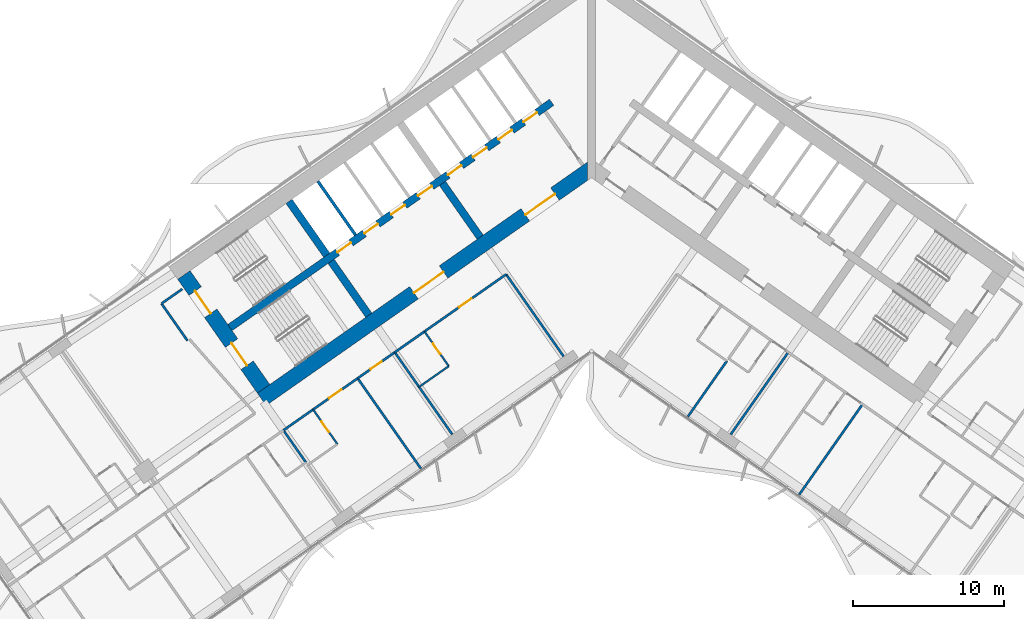
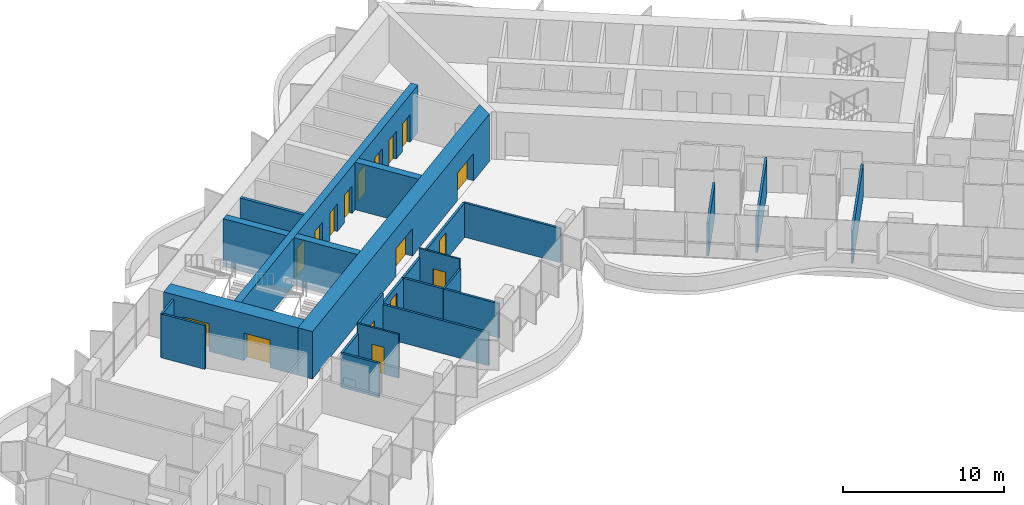
# One storey, part 14 of 24: 25 walls, 17 doors, 17 openings.
"""IFC4 building model written with IfcOpenShell, lengths in metres."""

from ifc_helpers import new_model, si_unit, direction, frame, frame_2d, origin, place, context, subcontext, project, spatial, polyline, rectangle, outline, extrude, material, layer, layer_set, type_object, element, fill, save


model = new_model("IFC4")

# Units and contexts
model_context = context("Model", 3, precision=1e-05, world=origin(), true_north=direction((0.0, 1.0)))
body_context = subcontext(model_context, "Body", "Model", "MODEL_VIEW")
ifc_project = project(units=[si_unit("LENGTHUNIT", "METRE"), si_unit("AREAUNIT", "SQUARE_METRE"), si_unit("VOLUMEUNIT", "CUBIC_METRE"), si_unit("PLANEANGLEUNIT", "RADIAN"), si_unit("MASSUNIT", "GRAM", prefix="KILO")], contexts=[model_context])

# Site, building, storey
site_placement = place(None, origin())
site = spatial("IfcSite", under=ifc_project, at=site_placement, CompositionType="ELEMENT")
building_placement = place(site_placement, origin())
building = spatial("IfcBuilding", under=site, at=building_placement, Name="Tel Ilan Convention Tower", CompositionType="ELEMENT")
storey_placement = place(building_placement, frame((0.0, 0.0, 68.89990234375)))
storey = spatial("IfcBuildingStorey", under=building, at=storey_placement, Name="L12", CompositionType="ELEMENT", Elevation=68.89990234375)

# Wall, openings, doors
ifc_material_1 = material(Name="Concrete C60/75", Category="concrete")
ifc_layer_1 = layer(ifc_material_1, 1.0)
ifc_layer_set_1 = layer_set([ifc_layer_1], Name="Core Shear Wall 1000 mm C60/75")
wall_type_1 = type_object("IfcWallType", Name="Core Shear Wall 1000 mm C60/75", PredefinedType="SHEAR", material=ifc_layer_set_1)
wall_1_placement = place(storey_placement, frame((0.036865234375, -0.584716796875, 0.0), z_axis=(0.0, 0.0, 1.0), x_axis=(-0.819157152511, -0.573569140985, 0.0)))
wall_1 = element("IfcWall", 1, at=wall_1_placement, inside=storey, type_object=wall_type_1, Name="L12 core wall W-front", PredefinedType="SHEAR", context=body_context, shape_type="SweptSolid", body=[
    extrude(outline(polyline([(26.69482421875, 0.500244140625), (0.7001953125, 0.499755859375), (0.0, -0.5), (26.69482421875, -0.499755859375), (26.69482421875, 0.500244140625)])), origin(), (0.0, 0.0, 1.0), 3.60009765625),
])
opening_1_placement = place(wall_1_placement, frame((2.994873046875, 0.0, 0.0)))
opening_1 = element("IfcOpeningElement", 2, at=opening_1_placement, cuts=wall_1, Name="Opening CD1205", PredefinedType="OPENING", context=body_context, shape_type="SweptSolid", body=[
    extrude(rectangle(XDim=2.39990234375, YDim=2.10009765625, at=frame_2d((1.199951171875, 1.050048828125))), frame((0.0, 0.510009765625, 0.0), z_axis=(0.0, -1.0, 0.0), x_axis=(1.0, 0.0, 0.0)), (0.0, 0.0, 1.0), 1.02001953125),
])
opening_2_placement = place(wall_1_placement, frame((11.994873046875, 0.0, 0.0)))
opening_2 = element("IfcOpeningElement", 3, at=opening_2_placement, cuts=wall_1, Name="Opening CD1206", PredefinedType="OPENING", context=body_context, shape_type="SweptSolid", body=[
    extrude(rectangle(XDim=2.39990234375, YDim=2.10009765625, at=frame_2d((1.199951171875, 1.050048828125))), frame((0.0, 0.510009765625, 0.0), z_axis=(0.0, -1.0, 0.0), x_axis=(1.0, 0.0, 0.0)), (0.0, 0.0, 1.0), 1.02001953125),
])
ifc_material_2 = material(Name="Glazed Aluminium Door Leaf", Category="aluminium")
door_type_1 = type_object("IfcDoorType", Name="Lobby Opening Door 2400 x 2100 FD60S", OperationType="NOTDEFINED", PredefinedType="DOOR", material=ifc_material_2)
door_1_placement = place(opening_1_placement, origin())
door_1 = element("IfcDoor", 4, at=door_1_placement, inside=storey, type_object=door_type_1, Name="Lift Lobby LR1-LR4 opening", OperationType="DOUBLE_DOOR_SINGLE_SWING", OverallHeight=2.10009765625, OverallWidth=2.39990234375, PredefinedType="DOOR", context=body_context, shape_type="SweptSolid", body=[
    extrude(rectangle(XDim=2.39990234375, YDim=2.10009765625, at=frame_2d((1.199951171875, 1.050048828125))), frame((0.0, 0.02490234375, 0.0), z_axis=(0.0, -1.0, 0.0), x_axis=(1.0, 0.0, 0.0)), (0.0, 0.0, 1.0), 0.050048828125),
])
fill(opening_1, door_1)
door_2_placement = place(opening_2_placement, origin())
door_2 = element("IfcDoor", 5, at=door_2_placement, inside=storey, type_object=door_type_1, Name="Lift Lobby LR5-LR8 opening", OperationType="DOUBLE_DOOR_SINGLE_SWING", OverallHeight=2.10009765625, OverallWidth=2.39990234375, PredefinedType="DOOR", context=body_context, shape_type="SweptSolid", body=[
    extrude(rectangle(XDim=2.39990234375, YDim=2.10009765625, at=frame_2d((1.199951171875, 1.050048828125))), frame((0.0, 0.02490234375, 0.0), z_axis=(0.0, -1.0, 0.0), x_axis=(1.0, 0.0, 0.0)), (0.0, 0.0, 1.0), 0.050048828125),
])
fill(opening_2, door_2)

wall_2_placement = place(storey_placement, frame((-21.70751953125, -15.19970703125, 0.0), z_axis=(0.0, 0.0, 1.0), x_axis=(-0.573576324356, 0.819152122709, 0.0)))
wall_2 = element("IfcWall", 6, at=wall_2_placement, inside=storey, type_object=wall_type_1, Name="L12 core wall W-end", PredefinedType="SHEAR", context=body_context, shape_type="SweptSolid", body=[
    extrude(outline(polyline([(0.0, 0.5), (0.0, -0.5), (9.199951171875, -0.5), (9.199951171875, 0.5), (0.0, 0.5)])), origin(), (0.0, 0.0, 1.0), 3.60009765625),
])
opening_3_placement = place(wall_2_placement, frame((6.10009765625, 0.0, 0.0)))
opening_3 = element("IfcOpeningElement", 7, at=opening_3_placement, cuts=wall_2, Name="Opening SD1201", PredefinedType="OPENING", context=body_context, shape_type="SweptSolid", body=[
    extrude(rectangle(XDim=1.800048828125, YDim=2.10009765625, at=frame_2d((0.89990234375, 1.050048828125))), frame((0.0, 0.510009765625, 0.0), z_axis=(0.0, -1.0, 0.0), x_axis=(1.0, 0.0, 0.0)), (0.0, 0.0, 1.0), 1.02001953125),
])
opening_4_placement = place(wall_2_placement, frame((1.89990234375, 0.0, 0.0)))
opening_4 = element("IfcOpeningElement", 8, at=opening_4_placement, cuts=wall_2, Name="Opening SD1202", PredefinedType="OPENING", context=body_context, shape_type="SweptSolid", body=[
    extrude(rectangle(XDim=1.800048828125, YDim=2.10009765625, at=frame_2d((0.89990234375, 1.050048828125))), frame((0.0, 0.510009765625, 0.0), z_axis=(0.0, -1.0, 0.0), x_axis=(1.0, 0.0, 0.0)), (0.0, 0.0, 1.0), 1.02001953125),
])
ifc_material_3 = material(Name="Galvanised Steel Door Leaf", Category="steel")
door_type_2 = type_object("IfcDoorType", Name="Stair Fire Door 1800 x 2100 FD60S", OperationType="NOTDEFINED", PredefinedType="DOOR", material=ifc_material_3)
door_3_placement = place(opening_3_placement, origin())
door_3 = element("IfcDoor", 9, at=door_3_placement, inside=storey, type_object=door_type_2, Name="Stair S1 door", OperationType="DOUBLE_DOOR_SINGLE_SWING", OverallHeight=2.10009765625, OverallWidth=1.800048828125, PredefinedType="DOOR", context=body_context, shape_type="SweptSolid", body=[
    extrude(rectangle(XDim=1.800048828125, YDim=2.10009765625, at=frame_2d((0.89990234375, 1.050048828125))), frame((0.0, 0.02490234375, 0.0), z_axis=(0.0, -1.0, 0.0), x_axis=(1.0, 0.0, 0.0)), (0.0, 0.0, 1.0), 0.050048828125),
])
fill(opening_3, door_3)
door_4_placement = place(opening_4_placement, origin())
door_4 = element("IfcDoor", 10, at=door_4_placement, inside=storey, type_object=door_type_2, Name="Stair S2 door", OperationType="DOUBLE_DOOR_SINGLE_SWING", OverallHeight=2.10009765625, OverallWidth=1.800048828125, PredefinedType="DOOR", context=body_context, shape_type="SweptSolid", body=[
    extrude(rectangle(XDim=1.800048828125, YDim=2.10009765625, at=frame_2d((0.89990234375, 1.050048828125))), frame((0.0, 0.02490234375, 0.0), z_axis=(0.0, -1.0, 0.0), x_axis=(1.0, 0.0, 0.0)), (0.0, 0.0, 1.0), 0.050048828125),
])
fill(opening_4, door_4)

# Walls
ifc_material_4 = material(Name="Concrete C60/75", Category="concrete")
ifc_layer_2 = layer(ifc_material_4, 0.5)
ifc_layer_set_2 = layer_set([ifc_layer_2], Name="Core Shear Wall 500 mm C60/75")
wall_type_2 = type_object("IfcWallType", Name="Core Shear Wall 500 mm C60/75", PredefinedType="SHEAR", material=ifc_layer_set_2)
wall_3_placement = place(storey_placement, frame((-7.372314453125, -5.162109375, 0.0), z_axis=(0.0, 0.0, 1.0), x_axis=(-0.573594173421, 0.819139624372, 0.0)))
element("IfcWall", 11, at=wall_3_placement, inside=storey, type_object=wall_type_2, Name="L12 core wall W-cross1-1", PredefinedType="SHEAR", context=body_context, shape_type="SweptSolid", body=[
    extrude(outline(polyline([(4.349853515625, 0.25), (0.0, 0.250244140625), (0.0, -0.25), (4.349853515625, -0.25), (4.349853515625, 0.25)])), origin(), (0.0, 0.0, 1.0), 3.60009765625),
])
wall_4_placement = place(storey_placement, frame((-14.74462890625, -10.324462890625, 0.0), z_axis=(0.0, 0.0, 1.0), x_axis=(-0.57356780395, 0.819158088694, 0.0)))
element("IfcWall", 12, at=wall_4_placement, inside=storey, type_object=wall_type_2, Name="L12 core wall W-cross2-1", PredefinedType="SHEAR", context=body_context, shape_type="SweptSolid", body=[
    extrude(outline(polyline([(4.35009765625, 0.250244140625), (0.0, 0.25), (0.0, -0.25), (4.35009765625, -0.25), (4.35009765625, 0.250244140625)])), origin(), (0.0, 0.0, 1.0), 3.60009765625),
])
wall_5_placement = place(storey_placement, frame((-17.526611328125, -6.3515625, 0.0), z_axis=(0.0, 0.0, 1.0), x_axis=(-0.573530143085, 0.819184457233, 0.0)))
element("IfcWall", 13, at=wall_5_placement, inside=storey, type_object=wall_type_2, Name="L12 core wall W-cross2-2", PredefinedType="SHEAR", context=body_context, shape_type="SweptSolid", body=[
    extrude(outline(polyline([(4.35009765625, -0.249755859375), (4.35009765625, 0.250244140625), (0.0, 0.25), (0.0, -0.25), (4.35009765625, -0.249755859375)])), origin(), (0.0, 0.0, 1.0), 3.60009765625),
])

# Wall, openings, doors
wall_6_placement = place(storey_placement, frame((-2.638427734375, 3.76806640625, 0.0), z_axis=(0.0, 0.0, 1.0), x_axis=(-0.819148977158, -0.573580816643, 0.0)))
wall_6 = element("IfcWall", 14, at=wall_6_placement, inside=storey, type_object=wall_type_2, Name="L12 core wall W-spine", PredefinedType="SHEAR", context=body_context, shape_type="SweptSolid", body=[
    extrude(outline(polyline([(26.0, 0.249755859375), (0.0, 0.25), (0.0, -0.25), (26.0, -0.250244140625), (26.0, 0.249755859375)])), origin(), (0.0, 0.0, 1.0), 3.60009765625),
])
opening_5_placement = place(wall_6_placement, frame((1.168701171875, 0.0, 0.0)))
opening_5 = element("IfcOpeningElement", 15, at=opening_5_placement, cuts=wall_6, Name="Opening LD1204", PredefinedType="OPENING", context=body_context, shape_type="SweptSolid", body=[
    extrude(rectangle(XDim=1.10009765625, YDim=2.10009765625, at=frame_2d((0.550048828125, 1.050048828125))), frame((0.0, 0.260009765625, 0.0), z_axis=(0.0, -1.0, 0.0), x_axis=(1.0, 0.0, 0.0)), (0.0, 0.0, 1.0), 0.52001953125),
])
opening_6_placement = place(wall_6_placement, frame((3.206298828125, 0.0, 0.0)))
opening_6 = element("IfcOpeningElement", 16, at=opening_6_placement, cuts=wall_6, Name="Opening LD1205", PredefinedType="OPENING", context=body_context, shape_type="SweptSolid", body=[
    extrude(rectangle(XDim=1.10009765625, YDim=2.10009765625, at=frame_2d((0.550048828125, 1.050048828125))), frame((0.0, 0.260009765625, 0.0), z_axis=(0.0, -1.0, 0.0), x_axis=(1.0, 0.0, 0.0)), (0.0, 0.0, 1.0), 0.52001953125),
])
opening_7_placement = place(wall_6_placement, frame((5.24365234375, 0.0, 0.0)))
opening_7 = element("IfcOpeningElement", 17, at=opening_7_placement, cuts=wall_6, Name="Opening LD1206", PredefinedType="OPENING", context=body_context, shape_type="SweptSolid", body=[
    extrude(rectangle(XDim=1.10009765625, YDim=2.10009765625, at=frame_2d((0.550048828125, 1.050048828125))), frame((0.0, 0.260009765625, 0.0), z_axis=(0.0, -1.0, 0.0), x_axis=(1.0, 0.0, 0.0)), (0.0, 0.0, 1.0), 0.52001953125),
])
opening_8_placement = place(wall_6_placement, frame((7.28125, 0.0, 0.0)))
opening_8 = element("IfcOpeningElement", 18, at=opening_8_placement, cuts=wall_6, Name="Opening LD1207", PredefinedType="OPENING", context=body_context, shape_type="SweptSolid", body=[
    extrude(rectangle(XDim=1.10009765625, YDim=2.10009765625, at=frame_2d((0.550048828125, 1.050048828125))), frame((0.0, 0.260009765625, 0.0), z_axis=(0.0, -1.0, 0.0), x_axis=(1.0, 0.0, 0.0)), (0.0, 0.0, 1.0), 0.52001953125),
])
opening_9_placement = place(wall_6_placement, frame((9.6875, 0.0, 0.0)))
opening_9 = element("IfcOpeningElement", 19, at=opening_9_placement, cuts=wall_6, Name="Opening LD1208", PredefinedType="OPENING", context=body_context, shape_type="SweptSolid", body=[
    extrude(rectangle(XDim=1.10009765625, YDim=2.10009765625, at=frame_2d((0.550048828125, 1.050048828125))), frame((0.0, 0.260009765625, 0.0), z_axis=(0.0, -1.0, 0.0), x_axis=(1.0, 0.0, 0.0)), (0.0, 0.0, 1.0), 0.52001953125),
])
opening_10_placement = place(wall_6_placement, frame((11.862548828125, 0.0, 0.0)))
opening_10 = element("IfcOpeningElement", 20, at=opening_10_placement, cuts=wall_6, Name="Opening LD1209", PredefinedType="OPENING", context=body_context, shape_type="SweptSolid", body=[
    extrude(rectangle(XDim=1.10009765625, YDim=2.10009765625, at=frame_2d((0.550048828125, 1.050048828125))), frame((0.0, 0.260009765625, 0.0), z_axis=(0.0, -1.0, 0.0), x_axis=(1.0, 0.0, 0.0)), (0.0, 0.0, 1.0), 0.52001953125),
])
opening_11_placement = place(wall_6_placement, frame((14.03759765625, 0.0, 0.0)))
opening_11 = element("IfcOpeningElement", 21, at=opening_11_placement, cuts=wall_6, Name="Opening LD1210", PredefinedType="OPENING", context=body_context, shape_type="SweptSolid", body=[
    extrude(rectangle(XDim=1.10009765625, YDim=2.10009765625, at=frame_2d((0.550048828125, 1.050048828125))), frame((0.0, 0.260009765625, 0.0), z_axis=(0.0, -1.0, 0.0), x_axis=(1.0, 0.0, 0.0)), (0.0, 0.0, 1.0), 0.52001953125),
])
opening_12_placement = place(wall_6_placement, frame((16.21240234375, 0.0, 0.0)))
opening_12 = element("IfcOpeningElement", 22, at=opening_12_placement, cuts=wall_6, Name="Opening LD1211", PredefinedType="OPENING", context=body_context, shape_type="SweptSolid", body=[
    extrude(rectangle(XDim=1.10009765625, YDim=2.10009765625, at=frame_2d((0.550048828125, 1.050048828125))), frame((0.0, 0.260009765625, 0.0), z_axis=(0.0, -1.0, 0.0), x_axis=(1.0, 0.0, 0.0)), (0.0, 0.0, 1.0), 0.52001953125),
])
ifc_material_5 = material(Name="Stainless Steel Sliding Door Leaf", Category="steel")
door_type_3 = type_object("IfcDoorType", Name="Lift Landing Door 1100 x 2100 FD120", OperationType="NOTDEFINED", PredefinedType="DOOR", material=ifc_material_5)
door_5_placement = place(opening_5_placement, origin())
door_5 = element("IfcDoor", 23, at=door_5_placement, inside=storey, type_object=door_type_3, Name="Lift LR1 landing door", OperationType="SLIDING_TO_LEFT", OverallHeight=2.10009765625, OverallWidth=1.10009765625, PredefinedType="DOOR", context=body_context, shape_type="SweptSolid", body=[
    extrude(rectangle(XDim=1.10009765625, YDim=2.10009765625, at=frame_2d((0.550048828125, 1.050048828125))), frame((0.0, 0.02490234375, 0.0), z_axis=(0.0, -1.0, 0.0), x_axis=(1.0, 0.0, 0.0)), (0.0, 0.0, 1.0), 0.050048828125),
])
fill(opening_5, door_5)
door_6_placement = place(opening_6_placement, origin())
door_6 = element("IfcDoor", 24, at=door_6_placement, inside=storey, type_object=door_type_3, Name="Lift LR2 landing door", OperationType="SLIDING_TO_RIGHT", OverallHeight=2.10009765625, OverallWidth=1.10009765625, PredefinedType="DOOR", context=body_context, shape_type="SweptSolid", body=[
    extrude(rectangle(XDim=1.10009765625, YDim=2.10009765625, at=frame_2d((0.550048828125, 1.050048828125))), frame((0.0, 0.02490234375, 0.0), z_axis=(0.0, -1.0, 0.0), x_axis=(1.0, 0.0, 0.0)), (0.0, 0.0, 1.0), 0.050048828125),
])
fill(opening_6, door_6)
door_7_placement = place(opening_7_placement, origin())
door_7 = element("IfcDoor", 25, at=door_7_placement, inside=storey, type_object=door_type_3, Name="Lift LR3 landing door", OperationType="SLIDING_TO_LEFT", OverallHeight=2.10009765625, OverallWidth=1.10009765625, PredefinedType="DOOR", context=body_context, shape_type="SweptSolid", body=[
    extrude(rectangle(XDim=1.10009765625, YDim=2.10009765625, at=frame_2d((0.550048828125, 1.050048828125))), frame((0.0, 0.02490234375, 0.0), z_axis=(0.0, -1.0, 0.0), x_axis=(1.0, 0.0, 0.0)), (0.0, 0.0, 1.0), 0.050048828125),
])
fill(opening_7, door_7)
door_8_placement = place(opening_8_placement, origin())
door_8 = element("IfcDoor", 26, at=door_8_placement, inside=storey, type_object=door_type_3, Name="Lift LR4 landing door", OperationType="SLIDING_TO_RIGHT", OverallHeight=2.10009765625, OverallWidth=1.10009765625, PredefinedType="DOOR", context=body_context, shape_type="SweptSolid", body=[
    extrude(rectangle(XDim=1.10009765625, YDim=2.10009765625, at=frame_2d((0.550048828125, 1.050048828125))), frame((0.0, 0.02490234375, 0.0), z_axis=(0.0, -1.0, 0.0), x_axis=(1.0, 0.0, 0.0)), (0.0, 0.0, 1.0), 0.050048828125),
])
fill(opening_8, door_8)
door_9_placement = place(opening_9_placement, origin())
door_9 = element("IfcDoor", 27, at=door_9_placement, inside=storey, type_object=door_type_3, Name="Lift LR5 landing door", OperationType="SLIDING_TO_LEFT", OverallHeight=2.10009765625, OverallWidth=1.10009765625, PredefinedType="DOOR", context=body_context, shape_type="SweptSolid", body=[
    extrude(rectangle(XDim=1.10009765625, YDim=2.10009765625, at=frame_2d((0.550048828125, 1.050048828125))), frame((0.0, 0.02490234375, 0.0), z_axis=(0.0, -1.0, 0.0), x_axis=(1.0, 0.0, 0.0)), (0.0, 0.0, 1.0), 0.050048828125),
])
fill(opening_9, door_9)
door_10_placement = place(opening_10_placement, origin())
door_10 = element("IfcDoor", 28, at=door_10_placement, inside=storey, type_object=door_type_3, Name="Lift LR6 landing door", OperationType="SLIDING_TO_RIGHT", OverallHeight=2.10009765625, OverallWidth=1.10009765625, PredefinedType="DOOR", context=body_context, shape_type="SweptSolid", body=[
    extrude(rectangle(XDim=1.10009765625, YDim=2.10009765625, at=frame_2d((0.550048828125, 1.050048828125))), frame((0.0, 0.02490234375, 0.0), z_axis=(0.0, -1.0, 0.0), x_axis=(1.0, 0.0, 0.0)), (0.0, 0.0, 1.0), 0.050048828125),
])
fill(opening_10, door_10)
door_11_placement = place(opening_11_placement, origin())
door_11 = element("IfcDoor", 29, at=door_11_placement, inside=storey, type_object=door_type_3, Name="Lift LR7 landing door", OperationType="SLIDING_TO_LEFT", OverallHeight=2.10009765625, OverallWidth=1.10009765625, PredefinedType="DOOR", context=body_context, shape_type="SweptSolid", body=[
    extrude(rectangle(XDim=1.10009765625, YDim=2.10009765625, at=frame_2d((0.550048828125, 1.050048828125))), frame((0.0, 0.02490234375, 0.0), z_axis=(0.0, -1.0, 0.0), x_axis=(1.0, 0.0, 0.0)), (0.0, 0.0, 1.0), 0.050048828125),
])
fill(opening_11, door_11)
door_12_placement = place(opening_12_placement, origin())
door_12 = element("IfcDoor", 30, at=door_12_placement, inside=storey, type_object=door_type_3, Name="Lift LR8 landing door", OperationType="SLIDING_TO_RIGHT", OverallHeight=2.10009765625, OverallWidth=1.10009765625, PredefinedType="DOOR", context=body_context, shape_type="SweptSolid", body=[
    extrude(rectangle(XDim=1.10009765625, YDim=2.10009765625, at=frame_2d((0.550048828125, 1.050048828125))), frame((0.0, 0.02490234375, 0.0), z_axis=(0.0, -1.0, 0.0), x_axis=(1.0, 0.0, 0.0)), (0.0, 0.0, 1.0), 0.050048828125),
])
fill(opening_12, door_12)

# Wall, opening, door
ifc_material_6 = material(Name="Plasterboard on Steel Studs", Category="steel")
ifc_layer_3 = layer(ifc_material_6, 0.14990234375)
ifc_layer_set_3 = layer_set([ifc_layer_3], Name="Fire-rated Partition 150 EI 60")
wall_type_3 = type_object("IfcWallType", Name="Fire-rated Partition 150 EI 60", PredefinedType="PARTITIONING", material=ifc_layer_set_3)
wall_7_placement = place(storey_placement, frame((-5.651611328125, -7.61962890625, 0.0), z_axis=(0.0, 0.0, 1.0), x_axis=(-0.819155459934, -0.573571558274, 0.0)))
wall_7 = element("IfcWall", 31, at=wall_7_placement, inside=storey, type_object=wall_type_3, Name="Partition 028", PredefinedType="PARTITIONING", context=body_context, shape_type="SweptSolid", body=[
    extrude(rectangle(XDim=6.60107421875, YDim=0.14990234375, at=frame_2d((3.300537109375, 0.0))), origin(), (0.0, 0.0, 1.0), 2.60009765625),
])
opening_13_placement = place(wall_7_placement, frame((2.800048828125, 0.0, 0.0)))
opening_13 = element("IfcOpeningElement", 32, at=opening_13_placement, cuts=wall_7, Name="Opening L11-002", PredefinedType="OPENING", context=body_context, shape_type="SweptSolid", body=[
    extrude(rectangle(XDim=1.0, YDim=2.10009765625, at=frame_2d((0.5, 1.050048828125))), frame((0.0, 0.0849609375, 0.0), z_axis=(0.0, -1.0, 0.0), x_axis=(1.0, 0.0, 0.0)), (0.0, 0.0, 1.0), 0.169921875),
])
ifc_material_7 = material(Name="Timber Door Leaf in Steel Frame", Category="steel")
door_type_4 = type_object("IfcDoorType", Name="Hotel Room Entrance Fire Door 1000x2100", OperationType="NOTDEFINED", PredefinedType="DOOR", material=ifc_material_7)
door_13_placement = place(opening_13_placement, origin())
door_13 = element("IfcDoor", 33, at=door_13_placement, inside=storey, type_object=door_type_4, Name="Door L11-002", OperationType="SINGLE_SWING_LEFT", OverallHeight=2.10009765625, OverallWidth=1.0, PredefinedType="DOOR", context=body_context, shape_type="SweptSolid", body=[
    extrude(rectangle(XDim=1.0, YDim=2.10009765625, at=frame_2d((0.5, 1.050048828125))), frame((0.0, 0.02490234375, 0.0), z_axis=(0.0, -1.0, 0.0), x_axis=(1.0, 0.0, 0.0)), (0.0, 0.0, 1.0), 0.050048828125),
])
fill(opening_13, door_13)

# Wall
wall_8_placement = place(storey_placement, frame((-11.056396484375, -11.404052734375, 0.0), z_axis=(0.0, 0.0, 1.0), x_axis=(-0.819146032251, -0.573585022335, 0.0)))
element("IfcWall", 34, at=wall_8_placement, inside=storey, type_object=wall_type_3, Name="Partition 029", PredefinedType="PARTITIONING", context=body_context, shape_type="SweptSolid", body=[
    extrude(rectangle(XDim=2.404052734375, YDim=0.14990234375, at=frame_2d((1.2021484375, 0.0))), origin(), (0.0, 0.0, 1.0), 2.60009765625),
])

# Wall, opening, door
wall_9_placement = place(storey_placement, frame((-13.0224609375, -12.78076171875, 0.0), z_axis=(0.0, 0.0, 1.0), x_axis=(-0.81916700466, -0.573555070134, 0.0)))
wall_9 = element("IfcWall", 35, at=wall_9_placement, inside=storey, type_object=wall_type_3, Name="Partition 030", PredefinedType="PARTITIONING", context=body_context, shape_type="SweptSolid", body=[
    extrude(rectangle(XDim=3.00390625, YDim=0.14990234375, at=frame_2d((1.501953125, 0.0))), origin(), (0.0, 0.0, 1.0), 2.60009765625),
])
opening_14_placement = place(wall_9_placement, frame((1.052001953125, 0.0, 0.0)))
opening_14 = element("IfcOpeningElement", 36, at=opening_14_placement, cuts=wall_9, Name="Opening L11-003", PredefinedType="OPENING", context=body_context, shape_type="SweptSolid", body=[
    extrude(rectangle(XDim=0.89990234375, YDim=2.10009765625, at=frame_2d((0.449951171875, 1.050048828125))), frame((0.0, 0.0849609375, 0.0), z_axis=(0.0, -1.0, 0.0), x_axis=(1.0, 0.0, 0.0)), (0.0, 0.0, 1.0), 0.169921875),
])
ifc_material_8 = material(Name="Timber Door Leaf in Steel Frame", Category="steel")
door_type_5 = type_object("IfcDoorType", Name="Room Fire Door 900x2100", OperationType="NOTDEFINED", PredefinedType="DOOR", material=ifc_material_8)
door_14_placement = place(opening_14_placement, origin())
door_14 = element("IfcDoor", 37, at=door_14_placement, inside=storey, type_object=door_type_5, Name="Door L11-003", OperationType="SINGLE_SWING_RIGHT", OverallHeight=2.10009765625, OverallWidth=0.89990234375, PredefinedType="DOOR", context=body_context, shape_type="SweptSolid", body=[
    extrude(rectangle(XDim=0.89990234375, YDim=2.10009765625, at=frame_2d((0.449951171875, 1.050048828125))), frame((0.0, 0.02490234375, 0.0), z_axis=(0.0, -1.0, 0.0), x_axis=(1.0, 0.0, 0.0)), (0.0, 0.0, 1.0), 0.050048828125),
])
fill(opening_14, door_14)

wall_10_placement = place(storey_placement, frame((-15.479736328125, -14.50146484375, 0.0), z_axis=(0.0, 0.0, 1.0), x_axis=(-0.819145961204, -0.573585123798, 0.0)))
wall_10 = element("IfcWall", 38, at=wall_10_placement, inside=storey, type_object=wall_type_3, Name="Partition 031", PredefinedType="PARTITIONING", context=body_context, shape_type="SweptSolid", body=[
    extrude(rectangle(XDim=3.60302734375, YDim=0.14990234375, at=frame_2d((1.801513671875, 0.0))), origin(), (0.0, 0.0, 1.0), 3.320068359375),
])
opening_15_placement = place(wall_10_placement, frame((1.302001953125, 0.0, 0.0)))
opening_15 = element("IfcOpeningElement", 39, at=opening_15_placement, cuts=wall_10, Name="Opening L11-005", PredefinedType="OPENING", context=body_context, shape_type="SweptSolid", body=[
    extrude(rectangle(XDim=1.0, YDim=2.10009765625, at=frame_2d((0.5, 1.050048828125))), frame((0.0, 0.0849609375, 0.0), z_axis=(0.0, -1.0, 0.0), x_axis=(1.0, 0.0, 0.0)), (0.0, 0.0, 1.0), 0.169921875),
])
door_15_placement = place(opening_15_placement, origin())
door_15 = element("IfcDoor", 40, at=door_15_placement, inside=storey, type_object=door_type_4, Name="Door L11-005", OperationType="SINGLE_SWING_LEFT", OverallHeight=2.10009765625, OverallWidth=1.0, PredefinedType="DOOR", context=body_context, shape_type="SweptSolid", body=[
    extrude(rectangle(XDim=1.0, YDim=2.10009765625, at=frame_2d((0.5, 1.050048828125))), frame((0.0, 0.02490234375, 0.0), z_axis=(0.0, -1.0, 0.0), x_axis=(1.0, 0.0, 0.0)), (0.0, 0.0, 1.0), 0.050048828125),
])
fill(opening_15, door_15)

# Walls
wall_11_placement = place(storey_placement, frame((-18.4287109375, -16.56640625, 0.0), z_axis=(0.0, 0.0, 1.0), x_axis=(-0.819146032251, -0.573585022335, 0.0)))
element("IfcWall", 41, at=wall_11_placement, inside=storey, type_object=wall_type_3, Name="Partition 032", PredefinedType="PARTITIONING", context=body_context, shape_type="SweptSolid", body=[
    extrude(rectangle(XDim=2.404052734375, YDim=0.14990234375, at=frame_2d((1.2021484375, 0.0))), origin(), (0.0, 0.0, 1.0), 2.60009765625),
])
wall_12_placement = place(storey_placement, frame((8.9599609375, -13.35546875, 0.0), z_axis=(0.0, 0.0, 1.0), x_axis=(-0.573564311442, -0.819160534108, 0.0)))
element("IfcWall", 42, at=wall_12_placement, inside=storey, type_object=wall_type_3, Name="Partition 054", PredefinedType="PARTITIONING", context=body_context, shape_type="SweptSolid", body=[
    extrude(rectangle(XDim=4.499267578125, YDim=0.14990234375, at=frame_2d((2.24951171875, 0.0))), origin(), (0.0, 0.0, 1.0), 2.5),
])
wall_13_placement = place(storey_placement, frame((13.02392578125, -12.78173828125, 0.0), z_axis=(0.0, 0.0, 1.0), x_axis=(-0.573556251799, -0.819166177294, 0.0)))
element("IfcWall", 43, at=wall_13_placement, inside=storey, type_object=wall_type_3, Name="Partition 059", PredefinedType="PARTITIONING", context=body_context, shape_type="SweptSolid", body=[
    extrude(rectangle(XDim=6.630126953125, YDim=0.14990234375, at=frame_2d((3.31494140625, 0.0))), origin(), (0.0, 0.0, 1.0), 2.60009765625),
])
wall_14_placement = place(storey_placement, frame((17.93896484375, -16.223388671875, 0.0), z_axis=(0.0, 0.0, 1.0), x_axis=(-0.573594765376, -0.819139209862, 0.0)))
element("IfcWall", 44, at=wall_14_placement, inside=storey, type_object=wall_type_3, Name="Partition 064", PredefinedType="PARTITIONING", context=body_context, shape_type="SweptSolid", body=[
    extrude(rectangle(XDim=7.300048828125, YDim=0.14990234375, at=frame_2d((3.64990234375, 0.0))), origin(), (0.0, 0.0, 1.0), 2.5),
])
wall_15_placement = place(storey_placement, frame((-1.848876953125, -13.050537109375, 0.0), z_axis=(0.0, 0.0, 1.0), x_axis=(-0.573575988258, 0.819152358047, 0.0)))
element("IfcWall", 45, at=wall_15_placement, inside=storey, type_object=wall_type_3, Name="Partition 078", PredefinedType="PARTITIONING", context=body_context, shape_type="SweptSolid", body=[
    extrude(rectangle(XDim=6.632080078125, YDim=0.14990234375, at=frame_2d((3.31591796875, 0.0))), origin(), (0.0, 0.0, 1.0), 2.60009765625),
])
wall_16_placement = place(storey_placement, frame((-26.74609375, -12.013671875, 0.0), z_axis=(0.0, 0.0, 1.0), x_axis=(-0.573560650686, 0.819163097304, 0.0)))
element("IfcWall", 46, at=wall_16_placement, inside=storey, type_object=wall_type_3, Name="Partition 079", PredefinedType="PARTITIONING", context=body_context, shape_type="SweptSolid", body=[
    extrude(rectangle(XDim=3.0, YDim=0.14990234375, at=frame_2d((1.5, 0.0))), origin(), (0.0, 0.0, 1.0), 3.320068359375),
])
wall_17_placement = place(storey_placement, frame((-28.466796875, -9.55615234375, 0.0), z_axis=(0.0, 0.0, 1.0), x_axis=(0.819109000826, 0.573637903879, 0.0)))
element("IfcWall", 47, at=wall_17_placement, inside=storey, type_object=wall_type_3, Name="Partition 080", PredefinedType="PARTITIONING", context=body_context, shape_type="SweptSolid", body=[
    extrude(rectangle(XDim=1.679931640625, YDim=0.14990234375, at=frame_2d((0.83984375, 0.0))), origin(), (0.0, 0.0, 1.0), 3.320068359375),
])
wall_18_placement = place(storey_placement, frame((-9.22119140625, -18.212890625, 0.0), z_axis=(0.0, 0.0, 1.0), x_axis=(-0.573594994199, 0.819139049631, 0.0)))
element("IfcWall", 48, at=wall_18_placement, inside=storey, type_object=wall_type_3, Name="Partition 094", PredefinedType="PARTITIONING", context=body_context, shape_type="SweptSolid", body=[
    extrude(rectangle(XDim=3.8291015625, YDim=0.14990234375, at=frame_2d((1.91455078125, 0.0))), origin(), (0.0, 0.0, 1.0), 2.60009765625),
])
wall_19_placement = place(storey_placement, frame((-11.41796875, -15.075439453125, 0.0), z_axis=(0.0, 0.0, 1.0), x_axis=(-0.573550118428, 0.819170471667, 0.0)))
element("IfcWall", 49, at=wall_19_placement, inside=storey, type_object=wall_type_3, Name="Partition 095", PredefinedType="PARTITIONING", context=body_context, shape_type="SweptSolid", body=[
    extrude(rectangle(XDim=2.800048828125, YDim=0.14990234375, at=frame_2d((1.39990234375, 0.0))), origin(), (0.0, 0.0, 1.0), 2.60009765625),
])
wall_20_placement = place(storey_placement, frame((-11.29443359375, -20.482421875, 0.0), z_axis=(0.0, 0.0, 1.0), x_axis=(-0.573572324301, 0.819154923562, 0.0)))
element("IfcWall", 50, at=wall_20_placement, inside=storey, type_object=wall_type_3, Name="Partition 096", PredefinedType="PARTITIONING", context=body_context, shape_type="SweptSolid", body=[
    extrude(rectangle(XDim=7.2998046875, YDim=0.14990234375, at=frame_2d((3.64990234375, 0.0))), origin(), (0.0, 0.0, 1.0), 2.5),
])
wall_21_placement = place(storey_placement, frame((-18.90380859375, -20.075439453125, 0.0), z_axis=(0.0, 0.0, 1.0), x_axis=(-0.573651240222, 0.819099660964, 0.0)))
element("IfcWall", 51, at=wall_21_placement, inside=storey, type_object=wall_type_3, Name="Partition 100", PredefinedType="PARTITIONING", context=body_context, shape_type="SweptSolid", body=[
    extrude(rectangle(XDim=2.60205078125, YDim=0.14990234375, at=frame_2d((1.301025390625, 0.0))), origin(), (0.0, 0.0, 1.0), 2.60009765625),
])
ifc_material_9 = material(Name="Concrete C30/37", Category="concrete")
ifc_layer_4 = layer(ifc_material_9, 0.199951171875)
ifc_layer_set_4 = layer_set([ifc_layer_4], Name="Lift Shaft Wall 200 mm C30/37")
wall_type_4 = type_object("IfcWallType", Name="Lift Shaft Wall 200 mm C30/37", PredefinedType="SOLIDWALL", material=ifc_layer_set_4)
wall_22_placement = place(storey_placement, frame((-15.6220703125, -5.017822265625, 0.0), z_axis=(0.0, 0.0, 1.0), x_axis=(-0.573594173421, 0.819139624372, 0.0)))
element("IfcWall", 52, at=wall_22_placement, inside=storey, type_object=wall_type_4, Name="L12 core wall bank-W2-p2", PredefinedType="SOLIDWALL", context=body_context, shape_type="SweptSolid", body=[
    extrude(rectangle(XDim=4.349853515625, YDim=0.199951171875, at=frame_2d((2.1748046875, 0.0))), origin(), (0.0, 0.0, 1.0), 3.60009765625),
])
ifc_material_10 = material(Name="Plasterboard on Steel Studs", Category="steel")
ifc_layer_5 = layer(ifc_material_10, 0.1201171875)
ifc_layer_set_5 = layer_set([ifc_layer_5], Name="Moisture-resistant Partition 120")
wall_type_5 = type_object("IfcWallType", Name="Moisture-resistant Partition 120", PredefinedType="PARTITIONING", material=ifc_layer_set_5)
wall_23_placement = place(storey_placement, frame((-11.41748046875, -15.076416015625, 0.0), z_axis=(0.0, 0.0, 1.0), x_axis=(0.819141114317, 0.573592045652, 0.0)))
element("IfcWall", 53, at=wall_23_placement, inside=storey, type_object=wall_type_5, Name="Partition 092", PredefinedType="PARTITIONING", context=body_context, shape_type="SweptSolid", body=[
    extrude(rectangle(XDim=2.400146484375, YDim=0.1201171875, at=frame_2d((1.2001953125, 0.0))), origin(), (0.0, 0.0, 1.0), 2.60009765625),
])

# Wall, opening, door
wall_24_placement = place(storey_placement, frame((-9.451171875, -13.6982421875, 0.0), z_axis=(0.0, 0.0, 1.0), x_axis=(-0.573591086599, 0.819141785879, 0.0)))
wall_24 = element("IfcWall", 54, at=wall_24_placement, inside=storey, type_object=wall_type_5, Name="Partition 093", PredefinedType="PARTITIONING", context=body_context, shape_type="SweptSolid", body=[
    extrude(rectangle(XDim=2.7998046875, YDim=0.1201171875, at=frame_2d((1.39990234375, 0.0))), origin(), (0.0, 0.0, 1.0), 3.320068359375),
])
opening_16_placement = place(wall_24_placement, frame((0.97509765625, 0.0, 0.0)))
opening_16 = element("IfcOpeningElement", 55, at=opening_16_placement, cuts=wall_24, Name="Opening L11-001", PredefinedType="OPENING", context=body_context, shape_type="SweptSolid", body=[
    extrude(rectangle(XDim=0.85009765625, YDim=2.050048828125, at=frame_2d((0.425048828125, 1.02490234375))), frame((0.0, 0.070068359375, 0.0), z_axis=(0.0, -1.0, 0.0), x_axis=(1.0, 0.0, 0.0)), (0.0, 0.0, 1.0), 0.14013671875),
])
ifc_material_11 = material(Name="Timber Door Leaf in Steel Frame", Category="steel")
door_type_6 = type_object("IfcDoorType", Name="Bathroom Timber Door 850x2050", OperationType="NOTDEFINED", PredefinedType="DOOR", material=ifc_material_11)
door_16_placement = place(opening_16_placement, origin())
door_16 = element("IfcDoor", 56, at=door_16_placement, inside=storey, type_object=door_type_6, Name="Door L11-001", OperationType="SINGLE_SWING_LEFT", OverallHeight=2.050048828125, OverallWidth=0.85009765625, PredefinedType="DOOR", context=body_context, shape_type="SweptSolid", body=[
    extrude(rectangle(XDim=0.85009765625, YDim=2.050048828125, at=frame_2d((0.425048828125, 1.02490234375))), frame((0.0, 0.02490234375, 0.0), z_axis=(0.0, -1.0, 0.0), x_axis=(1.0, 0.0, 0.0)), (0.0, 0.0, 1.0), 0.050048828125),
])
fill(opening_16, door_16)

wall_25_placement = place(storey_placement, frame((-16.823486328125, -18.860595703125, 0.0), z_axis=(0.0, 0.0, 1.0), x_axis=(-0.573608623498, 0.819129505664, 0.0)))
wall_25 = element("IfcWall", 57, at=wall_25_placement, inside=storey, type_object=wall_type_5, Name="Partition 098", PredefinedType="PARTITIONING", context=body_context, shape_type="SweptSolid", body=[
    extrude(rectangle(XDim=2.800048828125, YDim=0.1201171875, at=frame_2d((1.39990234375, 0.0))), origin(), (0.0, 0.0, 1.0), 3.320068359375),
])
opening_17_placement = place(wall_25_placement, frame((0.97509765625, 0.0, 0.0)))
opening_17 = element("IfcOpeningElement", 58, at=opening_17_placement, cuts=wall_25, Name="Opening L11-004", PredefinedType="OPENING", context=body_context, shape_type="SweptSolid", body=[
    extrude(rectangle(XDim=0.85009765625, YDim=2.050048828125, at=frame_2d((0.425048828125, 1.02490234375))), frame((0.0, 0.070068359375, 0.0), z_axis=(0.0, -1.0, 0.0), x_axis=(1.0, 0.0, 0.0)), (0.0, 0.0, 1.0), 0.14013671875),
])
door_17_placement = place(opening_17_placement, origin())
door_17 = element("IfcDoor", 59, at=door_17_placement, inside=storey, type_object=door_type_6, Name="Door L11-004", OperationType="SINGLE_SWING_RIGHT", OverallHeight=2.050048828125, OverallWidth=0.85009765625, PredefinedType="DOOR", context=body_context, shape_type="SweptSolid", body=[
    extrude(rectangle(XDim=0.85009765625, YDim=2.050048828125, at=frame_2d((0.425048828125, 1.02490234375))), frame((0.0, 0.02490234375, 0.0), z_axis=(0.0, -1.0, 0.0), x_axis=(1.0, 0.0, 0.0)), (0.0, 0.0, 1.0), 0.050048828125),
])
fill(opening_17, door_17)

save(model, "model.ifc")
